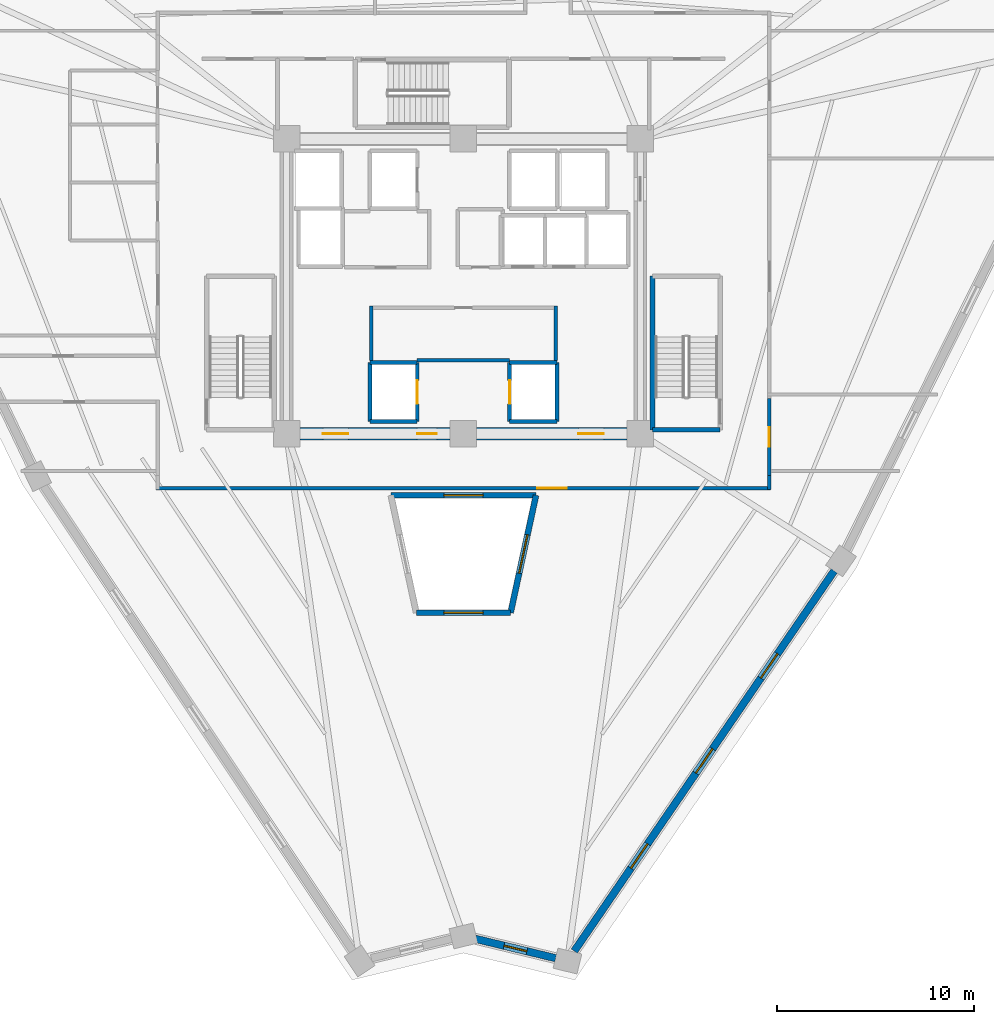
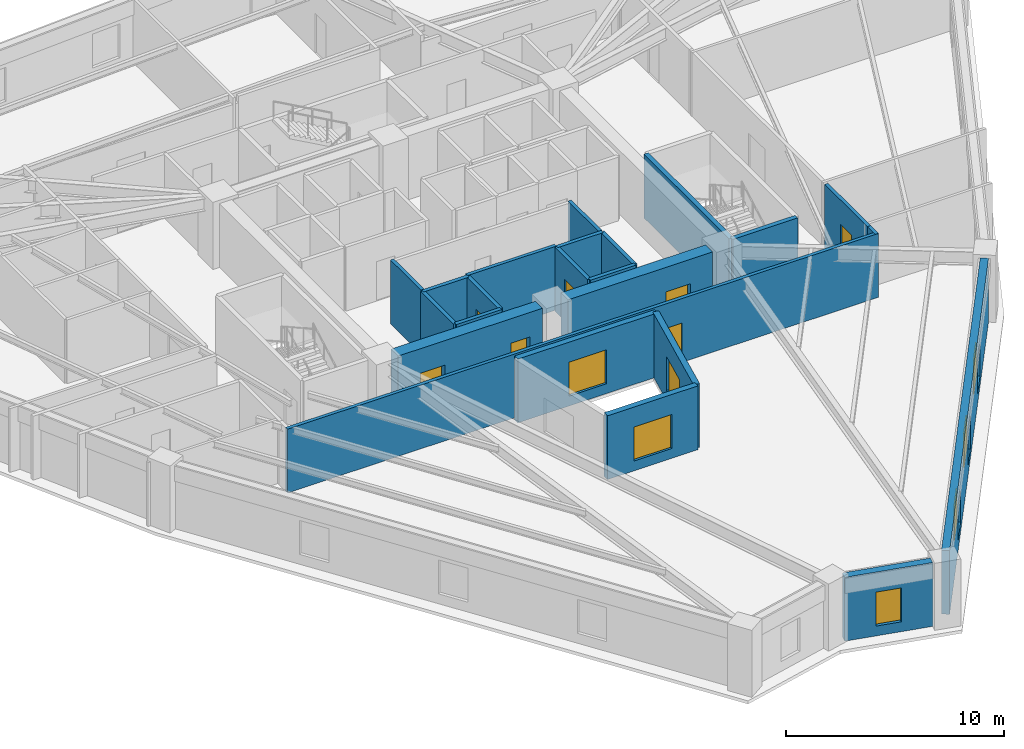
# One storey, part 3 of 8: 23 walls, 7 doors, 7 windows, 14 openings.
"""IFC4 building model written with IfcOpenShell, lengths in metres."""

from ifc_helpers import new_model, si_unit, direction, frame, frame_2d, origin, place, context, subcontext, project, spatial, rectangle, extrude, source, transform, mapped, material, layer, layer_set, type_object, element, fill, save


model = new_model("IFC4")

# Units and contexts
model_context = context("Model", 3, precision=1e-05, world=origin(), true_north=direction((0.0, 1.0)))
body_context = subcontext(model_context, "Body", "Model", "MODEL_VIEW")
ifc_project = project(units=[si_unit("LENGTHUNIT", "METRE"), si_unit("AREAUNIT", "SQUARE_METRE"), si_unit("VOLUMEUNIT", "CUBIC_METRE"), si_unit("PLANEANGLEUNIT", "RADIAN"), si_unit("MASSUNIT", "GRAM", prefix="KILO")], contexts=[model_context])

# Site, building, storey
site_placement = place(None, origin())
site = spatial("IfcSite", under=ifc_project, at=site_placement, CompositionType="ELEMENT")
building_placement = place(site_placement, origin())
building = spatial("IfcBuilding", under=site, at=building_placement, Name="Liaohun Quay Tower", CompositionType="ELEMENT")
storey_placement = place(building_placement, frame((0.0, 0.0, 240.0)))
storey = spatial("IfcBuildingStorey", under=building, at=storey_placement, Name="L62", CompositionType="ELEMENT", Elevation=240.0)

# Wall, opening, window
ifc_material_1 = material(Name="Concrete C50", Category="concrete")
ifc_layer_1 = layer(ifc_material_1, 0.300048828125, Name="Concrete C50", Category="concrete")
ifc_layer_set_1 = layer_set([ifc_layer_1], Name="Concrete C50")
wall_type_1 = type_object("IfcWallType", Name="WAL-ATR-300", PredefinedType="SOLIDWALL", material=ifc_layer_set_1)
wall_1_placement = place(storey_placement, frame((56.306884765625, 43.3701171875, 0.0), z_axis=(0.0, 0.0, 1.0), x_axis=(1.0, 0.0, 0.0)))
wall_1 = element("IfcWall", 1, at=wall_1_placement, inside=storey, type_object=wall_type_1, Name="L62 Atrium Fire Compartment Wall 2", PredefinedType="SOLIDWALL", context=body_context, shape_type="SweptSolid", body=[
    extrude(rectangle(XDim=7.38623046875, YDim=0.300048828125, at=frame_2d((3.693115234375, 0.0))), origin(), (0.0, 0.0, 1.0), 3.570068359375),
])
shared_shape_1 = source(origin(), body_context, "Body", "SweptSolid", [
    extrude(rectangle(XDim=2.0, YDim=1.89990234375, at=frame_2d((1.0, 0.949951171875))), frame((0.0, 0.159912109375, 0.0), z_axis=(0.0, -1.0, 0.0), x_axis=(1.0, 0.0, 0.0)), (0.0, 0.0, 1.0), 0.320068359375),
])
opening_1_placement = place(wall_1_placement, frame((2.693115234375, 0.0, 0.550048828125)))
opening_1 = element("IfcOpeningElement", 2, at=opening_1_placement, cuts=wall_1, Name="Opening W07", PredefinedType="OPENING", context=body_context, shape_type="MappedRepresentation", body=[
    mapped(shared_shape_1, transform((0.0, 0.0, 0.0), x_axis=(1.0, 0.0, 0.0), y_axis=(0.0, 1.0, 0.0), z_axis=(0.0, 0.0, 1.0), scale=1.0)),
])
ifc_material_2 = material(Name="Class A 180-min fire-resistant insulated glazing", Category="glass")
window_type_1 = type_object("IfcWindowType", Name="WIN-ATR-FIR", PartitioningType="DOUBLE_PANEL_VERTICAL", PredefinedType="WINDOW", material=ifc_material_2)
shared_shape_2 = source(origin(), body_context, "Body", "SweptSolid", [
    extrude(rectangle(XDim=2.0, YDim=1.89990234375, at=frame_2d((1.0, 0.949951171875))), frame((0.0, 0.030029296875, 0.0), z_axis=(0.0, -1.0, 0.0), x_axis=(1.0, 0.0, 0.0)), (0.0, 0.0, 1.0), 0.06005859375),
])
window_1_placement = place(opening_1_placement, origin())
window_1 = element("IfcWindow", 3, at=window_1_placement, inside=storey, type_object=window_type_1, Name="L62 Atrium Fire-Resistant Glazing W07-2", OverallHeight=1.89990234375, OverallWidth=2.0, PartitioningType="DOUBLE_PANEL_VERTICAL", PredefinedType="WINDOW", context=body_context, shape_type="MappedRepresentation", body=[
    mapped(shared_shape_2, transform((0.0, 0.0, 0.0), x_axis=(1.0, 0.0, 0.0), y_axis=(0.0, 1.0, 0.0), z_axis=(0.0, 0.0, 1.0), scale=1.0)),
])
fill(opening_1, window_1)

wall_2_placement = place(storey_placement, frame((63.693115234375, 43.3701171875, 0.0), z_axis=(0.0, 0.0, 1.0), x_axis=(-0.211469886749, -0.977384513382, 0.0)))
wall_2 = element("IfcWall", 4, at=wall_2_placement, inside=storey, type_object=wall_type_1, Name="L62 Atrium Fire Compartment Wall 3", PredefinedType="SOLIDWALL", context=body_context, shape_type="SweptSolid", body=[
    extrude(rectangle(XDim=6.115234375, YDim=0.300048828125, at=frame_2d((3.0576171875, 0.0))), origin(), (0.0, 0.0, 1.0), 3.570068359375),
])
opening_2_placement = place(wall_2_placement, frame((2.05810546875, 0.0, 0.550048828125)))
opening_2 = element("IfcOpeningElement", 5, at=opening_2_placement, cuts=wall_2, Name="Opening W07", PredefinedType="OPENING", context=body_context, shape_type="MappedRepresentation", body=[
    mapped(shared_shape_1, transform((0.0, 0.0, 0.0), x_axis=(1.0, 0.0, 0.0), y_axis=(0.0, 1.0, 0.0), z_axis=(0.0, 0.0, 1.0), scale=1.0)),
])
window_2_placement = place(opening_2_placement, origin())
window_2 = element("IfcWindow", 6, at=window_2_placement, inside=storey, type_object=window_type_1, Name="L62 Atrium Fire-Resistant Glazing W07-3", OverallHeight=1.89990234375, OverallWidth=2.0, PartitioningType="DOUBLE_PANEL_VERTICAL", PredefinedType="WINDOW", context=body_context, shape_type="MappedRepresentation", body=[
    mapped(shared_shape_2, transform((0.0, 0.0, 0.0), x_axis=(1.0, 0.0, 0.0), y_axis=(0.0, 1.0, 0.0), z_axis=(0.0, 0.0, 1.0), scale=1.0)),
])
fill(opening_2, window_2)

wall_3_placement = place(storey_placement, frame((62.39990234375, 37.39306640625, 0.0), z_axis=(0.0, 0.0, 1.0), x_axis=(-1.0, 0.0, 0.0)))
wall_3 = element("IfcWall", 7, at=wall_3_placement, inside=storey, type_object=wall_type_1, Name="L62 Atrium Fire Compartment Wall 4", PredefinedType="SOLIDWALL", context=body_context, shape_type="SweptSolid", body=[
    extrude(rectangle(XDim=4.7998046875, YDim=0.300048828125, at=frame_2d((2.39990234375, 0.0))), origin(), (0.0, 0.0, 1.0), 3.570068359375),
])
opening_3_placement = place(wall_3_placement, frame((1.39990234375, 0.0, 0.550048828125)))
opening_3 = element("IfcOpeningElement", 8, at=opening_3_placement, cuts=wall_3, Name="Opening W07", PredefinedType="OPENING", context=body_context, shape_type="MappedRepresentation", body=[
    mapped(shared_shape_1, transform((0.0, 0.0, 0.0), x_axis=(1.0, 0.0, 0.0), y_axis=(0.0, 1.0, 0.0), z_axis=(0.0, 0.0, 1.0), scale=1.0)),
])
window_3_placement = place(opening_3_placement, origin())
window_3 = element("IfcWindow", 9, at=window_3_placement, inside=storey, type_object=window_type_1, Name="L62 Atrium Fire-Resistant Glazing W07-4", OverallHeight=1.89990234375, OverallWidth=2.0, PartitioningType="DOUBLE_PANEL_VERTICAL", PredefinedType="WINDOW", context=body_context, shape_type="MappedRepresentation", body=[
    mapped(shared_shape_2, transform((0.0, 0.0, 0.0), x_axis=(1.0, 0.0, 0.0), y_axis=(0.0, 1.0, 0.0), z_axis=(0.0, 0.0, 1.0), scale=1.0)),
])
fill(opening_3, window_3)

# Wall, opening, door
ifc_material_3 = material(Name="Concrete C55", Category="concrete")
ifc_layer_2 = layer(ifc_material_3, 0.64990234375, Name="Concrete C55", Category="concrete")
ifc_layer_set_2 = layer_set([ifc_layer_2], Name="Concrete C55")
wall_type_2 = type_object("IfcWallType", Name="WAL-COR-Z3", PredefinedType="SHEAR", material=ifc_layer_set_2)
wall_4_placement = place(storey_placement, frame((68.324951171875, 46.5, 0.0), z_axis=(0.0, 0.0, 1.0), x_axis=(-1.0, 0.0, 0.0)))
wall_4 = element("IfcWall", 10, at=wall_4_placement, inside=storey, type_object=wall_type_2, Name="L62 Central Core Shear Wall S-E", PredefinedType="SHEAR", context=body_context, shape_type="SweptSolid", body=[
    extrude(rectangle(XDim=7.64990234375, YDim=0.64990234375, at=frame_2d((3.824951171875, 0.0))), origin(), (0.0, 0.0, 1.0), 3.570068359375),
])
shared_shape_3 = source(origin(), body_context, "Body", "SweptSolid", [
    extrude(rectangle(XDim=1.300048828125, YDim=2.199951171875, at=frame_2d((0.64990234375, 1.10009765625))), frame((0.0, 0.3349609375, 0.0), z_axis=(0.0, -1.0, 0.0), x_axis=(1.0, 0.0, 0.0)), (0.0, 0.0, 1.0), 0.669921875),
])
opening_4_placement = place(wall_4_placement, frame((1.175048828125, 0.0, 0.0)))
opening_4 = element("IfcOpeningElement", 11, at=opening_4_placement, cuts=wall_4, Name="Opening FD1", PredefinedType="OPENING", context=body_context, shape_type="MappedRepresentation", body=[
    mapped(shared_shape_3, transform((0.0, 0.0, 0.0), x_axis=(1.0, 0.0, 0.0), y_axis=(0.0, 1.0, 0.0), z_axis=(0.0, 0.0, 1.0), scale=1.0)),
])
ifc_material_4 = material(Name="Galvanised steel smokeproof fire door", Category="steel")
door_type_1 = type_object("IfcDoorType", Name="DOR-FFL-1300", OperationType="NOTDEFINED", PredefinedType="DOOR", material=ifc_material_4)
shared_shape_4 = source(origin(), body_context, "Body", "SweptSolid", [
    extrude(rectangle(XDim=1.300048828125, YDim=2.199951171875, at=frame_2d((0.64990234375, 1.10009765625))), frame((0.0, 0.02490234375, 0.0), z_axis=(0.0, -1.0, 0.0), x_axis=(1.0, 0.0, 0.0)), (0.0, 0.0, 1.0), 0.050048828125),
])
door_1_placement = place(opening_4_placement, origin())
door_1 = element("IfcDoor", 12, at=door_1_placement, inside=storey, type_object=door_type_1, Name="L62 East Core Lift Lobby Smokeproof Door", OperationType="SINGLE_SWING_LEFT", OverallHeight=2.199951171875, OverallWidth=1.300048828125, PredefinedType="DOOR", context=body_context, shape_type="MappedRepresentation", body=[
    mapped(shared_shape_4, transform((0.0, 0.0, 0.0), x_axis=(1.0, 0.0, 0.0), y_axis=(0.0, 1.0, 0.0), z_axis=(0.0, 0.0, 1.0), scale=1.0)),
])
fill(opening_4, door_1)

# Wall, openings, doors
wall_5_placement = place(storey_placement, frame((59.324951171875, 46.5, 0.0), z_axis=(0.0, 0.0, 1.0), x_axis=(-1.0, 0.0, 0.0)))
wall_5 = element("IfcWall", 13, at=wall_5_placement, inside=storey, type_object=wall_type_2, Name="L62 Central Core Shear Wall S-W", PredefinedType="SHEAR", context=body_context, shape_type="SweptSolid", body=[
    extrude(rectangle(XDim=7.64990234375, YDim=0.64990234375, at=frame_2d((3.824951171875, 0.0))), origin(), (0.0, 0.0, 1.0), 3.570068359375),
])
opening_5_placement = place(wall_5_placement, frame((5.175048828125, 0.0, 0.0)))
opening_5 = element("IfcOpeningElement", 14, at=opening_5_placement, cuts=wall_5, Name="Opening FD1", PredefinedType="OPENING", context=body_context, shape_type="MappedRepresentation", body=[
    mapped(shared_shape_3, transform((0.0, 0.0, 0.0), x_axis=(1.0, 0.0, 0.0), y_axis=(0.0, 1.0, 0.0), z_axis=(0.0, 0.0, 1.0), scale=1.0)),
])
shared_shape_5 = source(origin(), body_context, "Body", "SweptSolid", [
    extrude(rectangle(XDim=1.0, YDim=2.199951171875, at=frame_2d((0.5, 1.10009765625))), frame((0.0, 0.3349609375, 0.0), z_axis=(0.0, -1.0, 0.0), x_axis=(1.0, 0.0, 0.0)), (0.0, 0.0, 1.0), 0.669921875),
])
opening_6_placement = place(wall_5_placement, frame((0.675048828125, 0.0, 0.0)))
opening_6 = element("IfcOpeningElement", 15, at=opening_6_placement, cuts=wall_5, Name="Opening FD2", PredefinedType="OPENING", context=body_context, shape_type="MappedRepresentation", body=[
    mapped(shared_shape_5, transform((0.0, 0.0, 0.0), x_axis=(1.0, 0.0, 0.0), y_axis=(0.0, 1.0, 0.0), z_axis=(0.0, 0.0, 1.0), scale=1.0)),
])
door_2_placement = place(opening_5_placement, origin())
door_2 = element("IfcDoor", 16, at=door_2_placement, inside=storey, type_object=door_type_1, Name="L62 West Core Lift Lobby Smokeproof Door", OperationType="SINGLE_SWING_RIGHT", OverallHeight=2.199951171875, OverallWidth=1.300048828125, PredefinedType="DOOR", context=body_context, shape_type="MappedRepresentation", body=[
    mapped(shared_shape_4, transform((0.0, 0.0, 0.0), x_axis=(1.0, 0.0, 0.0), y_axis=(0.0, 1.0, 0.0), z_axis=(0.0, 0.0, 1.0), scale=1.0)),
])
fill(opening_5, door_2)
ifc_material_5 = material(Name="Galvanised steel smokeproof lobby fire door", Category="steel")
door_type_2 = type_object("IfcDoorType", Name="DOR-FFL-1000", OperationType="NOTDEFINED", PredefinedType="DOOR", material=ifc_material_5)
shared_shape_6 = source(origin(), body_context, "Body", "SweptSolid", [
    extrude(rectangle(XDim=1.0, YDim=2.199951171875, at=frame_2d((0.5, 1.10009765625))), frame((0.0, 0.02490234375, 0.0), z_axis=(0.0, -1.0, 0.0), x_axis=(1.0, 0.0, 0.0)), (0.0, 0.0, 1.0), 0.050048828125),
])
door_3_placement = place(opening_6_placement, origin())
door_3 = element("IfcDoor", 17, at=door_3_placement, inside=storey, type_object=door_type_2, Name="L62 South Firefighting Lobby Smokeproof Door", OperationType="SINGLE_SWING_LEFT", OverallHeight=2.199951171875, OverallWidth=1.0, PredefinedType="DOOR", context=body_context, shape_type="MappedRepresentation", body=[
    mapped(shared_shape_6, transform((0.0, 0.0, 0.0), x_axis=(1.0, 0.0, 0.0), y_axis=(0.0, 1.0, 0.0), z_axis=(0.0, 0.0, 1.0), scale=1.0)),
])
fill(opening_6, door_3)

# Wall, opening, window
ifc_material_6 = material(Name="Precast concrete C50 insulated sandwich", Category="concrete")
ifc_layer_3 = layer(ifc_material_6, 0.3798828125, Name="Precast concrete C50 insulated sandwich", Category="concrete")
ifc_layer_set_3 = layer_set([ifc_layer_3], Name="Precast concrete C50 insulated sandwich")
wall_type_3 = type_object("IfcWallType", Name="WAL-EXT-Z34", PredefinedType="SOLIDWALL", material=ifc_layer_set_3)
wall_6_placement = place(storey_placement, frame((60.597900390625, 20.80908203125, 0.0), z_axis=(0.0, 0.0, 1.0), x_axis=(0.972014274606, -0.234921795418, 0.0)))
wall_6 = element("IfcWall", 18, at=wall_6_placement, inside=storey, type_object=wall_type_3, Name="L62 Brutalist Precast Pier Wall 01", PredefinedType="SOLIDWALL", context=body_context, shape_type="SweptSolid", body=[
    extrude(rectangle(XDim=4.214111328125, YDim=0.3798828125, at=frame_2d((2.10693359375, 0.0))), origin(), (0.0, 0.0, 1.0), 3.570068359375),
])
shared_shape_7 = source(origin(), body_context, "Body", "SweptSolid", [
    extrude(rectangle(XDim=1.199951171875, YDim=1.89990234375, at=frame_2d((0.60009765625, 0.949951171875))), frame((0.0, 0.199951171875, 0.0), z_axis=(0.0, -1.0, 0.0), x_axis=(1.0, 0.0, 0.0)), (0.0, 0.0, 1.0), 0.39990234375),
])
opening_7_placement = place(wall_6_placement, frame((1.507080078125, 0.0, 0.550048828125)))
opening_7 = element("IfcOpeningElement", 19, at=opening_7_placement, cuts=wall_6, Name="Opening W05", PredefinedType="OPENING", context=body_context, shape_type="MappedRepresentation", body=[
    mapped(shared_shape_7, transform((0.0, 0.0, 0.0), x_axis=(1.0, 0.0, 0.0), y_axis=(0.0, 1.0, 0.0), z_axis=(0.0, 0.0, 1.0), scale=1.0)),
])
ifc_material_7 = material(Name="Triple Low-E corner notch glazing", Category="glass")
window_type_2 = type_object("IfcWindowType", Name="WIN-NOTCH", PartitioningType="SINGLE_PANEL", PredefinedType="WINDOW", material=ifc_material_7)
shared_shape_8 = source(origin(), body_context, "Body", "SweptSolid", [
    extrude(rectangle(XDim=1.199951171875, YDim=1.89990234375, at=frame_2d((0.60009765625, 0.949951171875))), frame((0.0, 0.030029296875, 0.0), z_axis=(0.0, -1.0, 0.0), x_axis=(1.0, 0.0, 0.0)), (0.0, 0.0, 1.0), 0.06005859375),
])
window_4_placement = place(opening_7_placement, origin())
window_4 = element("IfcWindow", 20, at=window_4_placement, inside=storey, type_object=window_type_2, Name="L62 Corner Notch Window W05-01", OverallHeight=1.89990234375, OverallWidth=1.199951171875, PartitioningType="SINGLE_PANEL", PredefinedType="WINDOW", context=body_context, shape_type="MappedRepresentation", body=[
    mapped(shared_shape_8, transform((0.0, 0.0, 0.0), x_axis=(1.0, 0.0, 0.0), y_axis=(0.0, 1.0, 0.0), z_axis=(0.0, 0.0, 1.0), scale=1.0)),
])
fill(opening_7, window_4)

# Wall, openings, windows
wall_7_placement = place(storey_placement, frame((65.638916015625, 20.18310546875, 0.0), z_axis=(0.0, 0.0, 1.0), x_axis=(0.564381319664, 0.825514219147, 0.0)))
wall_7 = element("IfcWall", 21, at=wall_7_placement, inside=storey, type_object=wall_type_3, Name="L62 Brutalist Precast Pier Wall 02", PredefinedType="SOLIDWALL", context=body_context, shape_type="SweptSolid", body=[
    extrude(rectangle(XDim=23.43115234375, YDim=0.3798828125, at=frame_2d((11.715576171875, 0.0))), origin(), (0.0, 0.0, 1.0), 3.570068359375),
])
shared_shape_9 = source(origin(), body_context, "Body", "SweptSolid", [
    extrude(rectangle(XDim=1.5, YDim=1.89990234375, at=frame_2d((0.75, 0.949951171875))), frame((0.0, 0.199951171875, 0.0), z_axis=(0.0, -1.0, 0.0), x_axis=(1.0, 0.0, 0.0)), (0.0, 0.0, 1.0), 0.39990234375),
])
opening_8_placement = place(wall_7_placement, frame((5.10791015625, 0.0, 0.550048828125)))
opening_8 = element("IfcOpeningElement", 22, at=opening_8_placement, cuts=wall_7, Name="Opening W03", PredefinedType="OPENING", context=body_context, shape_type="MappedRepresentation", body=[
    mapped(shared_shape_9, transform((0.0, 0.0, 0.0), x_axis=(1.0, 0.0, 0.0), y_axis=(0.0, 1.0, 0.0), z_axis=(0.0, 0.0, 1.0), scale=1.0)),
])
opening_9_placement = place(wall_7_placement, frame((10.966064453125, 0.0, 0.550048828125)))
opening_9 = element("IfcOpeningElement", 23, at=opening_9_placement, cuts=wall_7, Name="Opening W03", PredefinedType="OPENING", context=body_context, shape_type="MappedRepresentation", body=[
    mapped(shared_shape_9, transform((0.0, 0.0, 0.0), x_axis=(1.0, 0.0, 0.0), y_axis=(0.0, 1.0, 0.0), z_axis=(0.0, 0.0, 1.0), scale=1.0)),
])
opening_10_placement = place(wall_7_placement, frame((16.822998046875, 0.0, 0.550048828125)))
opening_10 = element("IfcOpeningElement", 24, at=opening_10_placement, cuts=wall_7, Name="Opening W03", PredefinedType="OPENING", context=body_context, shape_type="MappedRepresentation", body=[
    mapped(shared_shape_9, transform((0.0, 0.0, 0.0), x_axis=(1.0, 0.0, 0.0), y_axis=(0.0, 1.0, 0.0), z_axis=(0.0, 0.0, 1.0), scale=1.0)),
])
ifc_material_8 = material(Name="Triple Low-E argon glazing in thermally broken aluminium", Category="aluminium")
window_type_3 = type_object("IfcWindowType", Name="WIN-PUN-Z3", PartitioningType="DOUBLE_PANEL_VERTICAL", PredefinedType="WINDOW", material=ifc_material_8)
shared_shape_10 = source(origin(), body_context, "Body", "SweptSolid", [
    extrude(rectangle(XDim=1.5, YDim=1.89990234375, at=frame_2d((0.75, 0.949951171875))), frame((0.0, 0.030029296875, 0.0), z_axis=(0.0, -1.0, 0.0), x_axis=(1.0, 0.0, 0.0)), (0.0, 0.0, 1.0), 0.06005859375),
])
window_5_placement = place(opening_8_placement, origin())
window_5 = element("IfcWindow", 25, at=window_5_placement, inside=storey, type_object=window_type_3, Name="L62 Recessed Cold-Climate Punched Window 02-1", OverallHeight=1.89990234375, OverallWidth=1.5, PartitioningType="DOUBLE_PANEL_VERTICAL", PredefinedType="WINDOW", context=body_context, shape_type="MappedRepresentation", body=[
    mapped(shared_shape_10, transform((0.0, 0.0, 0.0), x_axis=(1.0, 0.0, 0.0), y_axis=(0.0, 1.0, 0.0), z_axis=(0.0, 0.0, 1.0), scale=1.0)),
])
fill(opening_8, window_5)
window_6_placement = place(opening_9_placement, origin())
window_6 = element("IfcWindow", 26, at=window_6_placement, inside=storey, type_object=window_type_3, Name="L62 Recessed Cold-Climate Punched Window 02-2", OverallHeight=1.89990234375, OverallWidth=1.5, PartitioningType="DOUBLE_PANEL_VERTICAL", PredefinedType="WINDOW", context=body_context, shape_type="MappedRepresentation", body=[
    mapped(shared_shape_10, transform((0.0, 0.0, 0.0), x_axis=(1.0, 0.0, 0.0), y_axis=(0.0, 1.0, 0.0), z_axis=(0.0, 0.0, 1.0), scale=1.0)),
])
fill(opening_9, window_6)
window_7_placement = place(opening_10_placement, origin())
window_7 = element("IfcWindow", 27, at=window_7_placement, inside=storey, type_object=window_type_3, Name="L62 Recessed Cold-Climate Punched Window 02-3", OverallHeight=1.89990234375, OverallWidth=1.5, PartitioningType="DOUBLE_PANEL_VERTICAL", PredefinedType="WINDOW", context=body_context, shape_type="MappedRepresentation", body=[
    mapped(shared_shape_10, transform((0.0, 0.0, 0.0), x_axis=(1.0, 0.0, 0.0), y_axis=(0.0, 1.0, 0.0), z_axis=(0.0, 0.0, 1.0), scale=1.0)),
])
fill(opening_10, window_7)

# Wall, opening, door
ifc_material_9 = material(Name="Autoclaved aerated concrete blockwork", Category="masonry")
ifc_layer_4 = layer(ifc_material_9, 0.179931640625, Name="Autoclaved aerated concrete blockwork", Category="masonry")
ifc_layer_set_4 = layer_set([ifc_layer_4], Name="Autoclaved aerated concrete blockwork")
wall_type_4 = type_object("IfcWallType", Name="WAL-PRT-COR", PredefinedType="PARTITIONING", material=ifc_layer_set_4)
wall_8_placement = place(storey_placement, frame((75.6298828125, 43.739990234375, 0.0), z_axis=(0.0, 0.0, 1.0), x_axis=(-1.0, 0.0, 0.0)))
wall_8 = element("IfcWall", 28, at=wall_8_placement, inside=storey, type_object=wall_type_4, Name="L62 Interior Partition Wall 019", PredefinedType="PARTITIONING", context=body_context, shape_type="SweptSolid", body=[
    extrude(rectangle(XDim=31.259765625, YDim=0.179931640625, at=frame_2d((15.6298828125, 0.0))), origin(), (0.0, 0.0, 1.0), 3.570068359375),
])
shared_shape_11 = source(origin(), body_context, "Body", "SweptSolid", [
    extrude(rectangle(XDim=1.5, YDim=2.199951171875, at=frame_2d((0.75, 1.10009765625))), frame((0.0, 0.099853515625, 0.0), z_axis=(0.0, -1.0, 0.0), x_axis=(1.0, 0.0, 0.0)), (0.0, 0.0, 1.0), 0.199951171875),
])
opening_11_placement = place(wall_8_placement, frame((10.3798828125, 0.0, 0.0)))
opening_11 = element("IfcOpeningElement", 29, at=opening_11_placement, cuts=wall_8, Name="Opening OD2", PredefinedType="OPENING", context=body_context, shape_type="MappedRepresentation", body=[
    mapped(shared_shape_11, transform((0.0, 0.0, 0.0), x_axis=(1.0, 0.0, 0.0), y_axis=(0.0, 1.0, 0.0), z_axis=(0.0, 0.0, 1.0), scale=1.0)),
])
ifc_material_10 = material(Name="Acoustic oak veneer double door")
door_type_3 = type_object("IfcDoorType", Name="DOR-OFF-1500", OperationType="DOUBLE_DOOR_SINGLE_SWING", PredefinedType="DOOR", material=ifc_material_10)
shared_shape_12 = source(origin(), body_context, "Body", "SweptSolid", [
    extrude(rectangle(XDim=1.5, YDim=2.199951171875, at=frame_2d((0.75, 1.10009765625))), frame((0.0, 0.02490234375, 0.0), z_axis=(0.0, -1.0, 0.0), x_axis=(1.0, 0.0, 0.0)), (0.0, 0.0, 1.0), 0.050048828125),
])
door_4_placement = place(opening_11_placement, origin())
door_4 = element("IfcDoor", 30, at=door_4_placement, inside=storey, type_object=door_type_3, Name="L62 Records Archive Store 09 Door", OperationType="DOUBLE_DOOR_SINGLE_SWING", OverallHeight=2.199951171875, OverallWidth=1.5, PredefinedType="DOOR", context=body_context, shape_type="MappedRepresentation", body=[
    mapped(shared_shape_12, transform((0.0, 0.0, 0.0), x_axis=(1.0, 0.0, 0.0), y_axis=(0.0, 1.0, 0.0), z_axis=(0.0, 0.0, 1.0), scale=1.0)),
])
fill(opening_11, door_4)

wall_9_placement = place(storey_placement, frame((75.56005859375, 48.284912109375, 0.0), z_axis=(0.0, 0.0, 1.0), x_axis=(0.0, -1.0, 0.0)))
wall_9 = element("IfcWall", 31, at=wall_9_placement, inside=storey, type_object=wall_type_4, Name="L62 Interior Partition Wall 020", PredefinedType="PARTITIONING", context=body_context, shape_type="SweptSolid", body=[
    extrude(rectangle(XDim=3.89990234375, YDim=0.179931640625, at=frame_2d((1.949951171875, 0.0))), origin(), (0.0, 0.0, 1.0), 3.570068359375),
])
shared_shape_13 = source(origin(), body_context, "Body", "SweptSolid", [
    extrude(rectangle(XDim=1.0, YDim=2.199951171875, at=frame_2d((0.5, 1.10009765625))), frame((0.0, 0.099853515625, 0.0), z_axis=(0.0, -1.0, 0.0), x_axis=(1.0, 0.0, 0.0)), (0.0, 0.0, 1.0), 0.199951171875),
])
opening_12_placement = place(wall_9_placement, frame((1.449951171875, 0.0, 0.0)))
opening_12 = element("IfcOpeningElement", 32, at=opening_12_placement, cuts=wall_9, Name="Opening OD1", PredefinedType="OPENING", context=body_context, shape_type="MappedRepresentation", body=[
    mapped(shared_shape_13, transform((0.0, 0.0, 0.0), x_axis=(1.0, 0.0, 0.0), y_axis=(0.0, 1.0, 0.0), z_axis=(0.0, 0.0, 1.0), scale=1.0)),
])
ifc_material_11 = material(Name="Solid-core oak veneer timber leaf in steel frame", Category="steel")
door_type_4 = type_object("IfcDoorType", Name="DOR-OFF-1000", OperationType="NOTDEFINED", PredefinedType="DOOR", material=ifc_material_11)
door_5_placement = place(opening_12_placement, origin())
door_5 = element("IfcDoor", 33, at=door_5_placement, inside=storey, type_object=door_type_4, Name="L62 Open-Plan Office Workplace 10 Door", OperationType="SINGLE_SWING_RIGHT", OverallHeight=2.199951171875, OverallWidth=1.0, PredefinedType="DOOR", context=body_context, shape_type="MappedRepresentation", body=[
    mapped(shared_shape_6, transform((0.0, 0.0, 0.0), x_axis=(1.0, 0.0, 0.0), y_axis=(0.0, 1.0, 0.0), z_axis=(0.0, 0.0, 1.0), scale=1.0)),
])
fill(opening_12, door_5)

# Walls
wall_10_placement = place(storey_placement, frame((75.56005859375, 44.385009765625, 0.0), z_axis=(0.0, 0.0, 1.0), x_axis=(0.0, -1.0, 0.0)))
element("IfcWall", 34, at=wall_10_placement, inside=storey, type_object=wall_type_4, Name="L62 Interior Partition Wall 039", PredefinedType="PARTITIONING", context=body_context, shape_type="SweptSolid", body=[
    extrude(rectangle(XDim=0.715087890625, YDim=0.179931640625, at=frame_2d((0.357421875, 0.0))), origin(), (0.0, 0.0, 1.0), 3.570068359375),
])
for number, where, z_axis, x_axis, name in (
    (35, (55.300048828125, 50.219970703125, 0.0), (0.0, 0.0, 1.0), (0.0, 1.0, 0.0), "L62 Interior Partition Wall 048"),
    (36, (64.699951171875, 50.219970703125, 0.0), (0.0, 0.0, 1.0), (0.0, 1.0, 0.0), "L62 Interior Partition Wall 049"),
):
    element("IfcWall", number, at=place(storey_placement, frame(where, z_axis=z_axis, x_axis=x_axis)), inside=storey, type_object=wall_type_4, Name=name, PredefinedType="PARTITIONING", context=body_context, shape_type="SweptSolid", body=[
        extrude(rectangle(XDim=2.7900390625, YDim=0.179931640625, at=frame_2d((1.39501953125, 0.0))), origin(), (0.0, 0.0, 1.0), 3.570068359375),
    ])
wall_11_placement = place(storey_placement, frame((57.64990234375, 50.25, 0.0), z_axis=(0.0, 0.0, 1.0), x_axis=(1.0, 0.0, 0.0)))
element("IfcWall", 37, at=wall_11_placement, inside=storey, type_object=wall_type_4, Name="L62 Interior Partition Wall 050", PredefinedType="PARTITIONING", context=body_context, shape_type="SweptSolid", body=[
    extrude(rectangle(XDim=4.7001953125, YDim=0.179931640625, at=frame_2d((2.35009765625, 0.0))), origin(), (0.0, 0.0, 1.0), 3.570068359375),
])
ifc_layer_5 = layer(ifc_material_1, 0.239990234375, Name="Concrete C50", Category="concrete")
ifc_layer_set_5 = layer_set([ifc_layer_5], Name="Concrete C50")
wall_type_5 = type_object("IfcWallType", Name="WAL-SHF-200", PredefinedType="SOLIDWALL", material=ifc_layer_set_5)
wall_12_placement = place(storey_placement, frame((69.6201171875, 46.699951171875, 0.0), z_axis=(0.0, 0.0, 1.0), x_axis=(1.0, 0.0, 0.0)))
element("IfcWall", 38, at=wall_12_placement, inside=storey, type_object=wall_type_5, Name="L62 Stairwell ST-2 Structural Core Wall S", PredefinedType="SOLIDWALL", context=body_context, shape_type="SweptSolid", body=[
    extrude(rectangle(XDim=3.43994140625, YDim=0.239990234375, at=frame_2d((1.719970703125, 0.0))), origin(), (0.0, 0.0, 1.0), 3.570068359375),
])
wall_13_placement = place(storey_placement, frame((69.6201171875, 54.52001953125, 0.0), z_axis=(0.0, 0.0, 1.0), x_axis=(0.0, -1.0, 0.0)))
element("IfcWall", 39, at=wall_13_placement, inside=storey, type_object=wall_type_5, Name="L62 Stairwell ST-2 Structural Core Wall W", PredefinedType="SOLIDWALL", context=body_context, shape_type="SweptSolid", body=[
    extrude(rectangle(XDim=7.820068359375, YDim=0.239990234375, at=frame_2d((3.91015625, 0.0))), origin(), (0.0, 0.0, 1.0), 3.570068359375),
])
wall_14_placement = place(storey_placement, frame((55.25, 47.1201171875, 0.0), z_axis=(0.0, 0.0, 1.0), x_axis=(1.0, 0.0, 0.0)))
element("IfcWall", 40, at=wall_14_placement, inside=storey, type_object=wall_type_5, Name="L62 Lift FF-01 Hoistway Wall S", PredefinedType="SOLIDWALL", context=body_context, shape_type="SweptSolid", body=[
    extrude(rectangle(XDim=2.39990234375, YDim=0.199951171875, at=frame_2d((1.199951171875, 0.0))), origin(), (0.0, 0.0, 1.0), 3.570068359375),
])

# Wall, opening, door
wall_15_placement = place(storey_placement, frame((57.64990234375, 47.1201171875, 0.0), z_axis=(0.0, 0.0, 1.0), x_axis=(0.0, 1.0, 0.0)))
wall_15 = element("IfcWall", 41, at=wall_15_placement, inside=storey, type_object=wall_type_5, Name="L62 Lift FF-01 Hoistway Wall E", PredefinedType="SOLIDWALL", context=body_context, shape_type="SweptSolid", body=[
    extrude(rectangle(XDim=3.0, YDim=0.199951171875, at=frame_2d((1.5, 0.0))), origin(), (0.0, 0.0, 1.0), 3.570068359375),
])
shared_shape_14 = source(origin(), body_context, "Body", "SweptSolid", [
    extrude(rectangle(XDim=1.199951171875, YDim=2.300048828125, at=frame_2d((0.60009765625, 1.14990234375))), frame((0.0, 0.10986328125, 0.0), z_axis=(0.0, -1.0, 0.0), x_axis=(1.0, 0.0, 0.0)), (0.0, 0.0, 1.0), 0.219970703125),
])
opening_13_placement = place(wall_15_placement, frame((0.89990234375, 0.0, 0.0)))
opening_13 = element("IfcOpeningElement", 42, at=opening_13_placement, cuts=wall_15, Name="Opening LD2", PredefinedType="OPENING", context=body_context, shape_type="MappedRepresentation", body=[
    mapped(shared_shape_14, transform((0.0, 0.0, 0.0), x_axis=(1.0, 0.0, 0.0), y_axis=(0.0, 1.0, 0.0), z_axis=(0.0, 0.0, 1.0), scale=1.0)),
])
ifc_material_12 = material(Name="Brushed stainless steel stretcher landing door", Category="steel")
door_type_5 = type_object("IfcDoorType", Name="DOR-LFT-1200", OperationType="SLIDING_TO_LEFT", PredefinedType="DOOR", material=ifc_material_12)
shared_shape_15 = source(origin(), body_context, "Body", "SweptSolid", [
    extrude(rectangle(XDim=1.199951171875, YDim=2.300048828125, at=frame_2d((0.60009765625, 1.14990234375))), frame((0.0, 0.02490234375, 0.0), z_axis=(0.0, -1.0, 0.0), x_axis=(1.0, 0.0, 0.0)), (0.0, 0.0, 1.0), 0.050048828125),
])
door_6_placement = place(opening_13_placement, origin())
door_6 = element("IfcDoor", 43, at=door_6_placement, inside=storey, type_object=door_type_5, Name="L62 Lift FF-01 Sliding Landing Door", OperationType="SLIDING_TO_LEFT", OverallHeight=2.300048828125, OverallWidth=1.199951171875, PredefinedType="DOOR", context=body_context, shape_type="MappedRepresentation", body=[
    mapped(shared_shape_15, transform((0.0, 0.0, 0.0), x_axis=(1.0, 0.0, 0.0), y_axis=(0.0, 1.0, 0.0), z_axis=(0.0, 0.0, 1.0), scale=1.0)),
])
fill(opening_13, door_6)

# Walls
wall_16_placement = place(storey_placement, frame((57.64990234375, 50.1201171875, 0.0), z_axis=(0.0, 0.0, 1.0), x_axis=(-1.0, 0.0, 0.0)))
element("IfcWall", 44, at=wall_16_placement, inside=storey, type_object=wall_type_5, Name="L62 Lift FF-01 Hoistway Wall N", PredefinedType="SOLIDWALL", context=body_context, shape_type="SweptSolid", body=[
    extrude(rectangle(XDim=2.39990234375, YDim=0.199951171875, at=frame_2d((1.199951171875, 0.0))), origin(), (0.0, 0.0, 1.0), 3.570068359375),
])
wall_17_placement = place(storey_placement, frame((55.25, 50.1201171875, 0.0), z_axis=(0.0, 0.0, 1.0), x_axis=(0.0, -1.0, 0.0)))
element("IfcWall", 45, at=wall_17_placement, inside=storey, type_object=wall_type_5, Name="L62 Lift FF-01 Hoistway Wall W", PredefinedType="SOLIDWALL", context=body_context, shape_type="SweptSolid", body=[
    extrude(rectangle(XDim=3.0, YDim=0.199951171875, at=frame_2d((1.5, 0.0))), origin(), (0.0, 0.0, 1.0), 3.570068359375),
])
wall_18_placement = place(storey_placement, frame((62.35009765625, 47.1201171875, 0.0), z_axis=(0.0, 0.0, 1.0), x_axis=(1.0, 0.0, 0.0)))
element("IfcWall", 46, at=wall_18_placement, inside=storey, type_object=wall_type_5, Name="L62 Lift FF-02 Hoistway Wall S", PredefinedType="SOLIDWALL", context=body_context, shape_type="SweptSolid", body=[
    extrude(rectangle(XDim=2.39990234375, YDim=0.199951171875, at=frame_2d((1.199951171875, 0.0))), origin(), (0.0, 0.0, 1.0), 3.570068359375),
])
wall_19_placement = place(storey_placement, frame((64.75, 47.1201171875, 0.0), z_axis=(0.0, 0.0, 1.0), x_axis=(0.0, 1.0, 0.0)))
element("IfcWall", 47, at=wall_19_placement, inside=storey, type_object=wall_type_5, Name="L62 Lift FF-02 Hoistway Wall E", PredefinedType="SOLIDWALL", context=body_context, shape_type="SweptSolid", body=[
    extrude(rectangle(XDim=3.0, YDim=0.199951171875, at=frame_2d((1.5, 0.0))), origin(), (0.0, 0.0, 1.0), 3.570068359375),
])
wall_20_placement = place(storey_placement, frame((64.75, 50.1201171875, 0.0), z_axis=(0.0, 0.0, 1.0), x_axis=(-1.0, 0.0, 0.0)))
element("IfcWall", 48, at=wall_20_placement, inside=storey, type_object=wall_type_5, Name="L62 Lift FF-02 Hoistway Wall N", PredefinedType="SOLIDWALL", context=body_context, shape_type="SweptSolid", body=[
    extrude(rectangle(XDim=2.39990234375, YDim=0.199951171875, at=frame_2d((1.199951171875, 0.0))), origin(), (0.0, 0.0, 1.0), 3.570068359375),
])

# Wall, opening, door
wall_21_placement = place(storey_placement, frame((62.35009765625, 50.1201171875, 0.0), z_axis=(0.0, 0.0, 1.0), x_axis=(0.0, -1.0, 0.0)))
wall_21 = element("IfcWall", 49, at=wall_21_placement, inside=storey, type_object=wall_type_5, Name="L62 Lift FF-02 Hoistway Wall W", PredefinedType="SOLIDWALL", context=body_context, shape_type="SweptSolid", body=[
    extrude(rectangle(XDim=3.0, YDim=0.199951171875, at=frame_2d((1.5, 0.0))), origin(), (0.0, 0.0, 1.0), 3.570068359375),
])
opening_14_placement = place(wall_21_placement, frame((0.89990234375, 0.0, 0.0)))
opening_14 = element("IfcOpeningElement", 50, at=opening_14_placement, cuts=wall_21, Name="Opening LD2", PredefinedType="OPENING", context=body_context, shape_type="MappedRepresentation", body=[
    mapped(shared_shape_14, transform((0.0, 0.0, 0.0), x_axis=(1.0, 0.0, 0.0), y_axis=(0.0, 1.0, 0.0), z_axis=(0.0, 0.0, 1.0), scale=1.0)),
])
door_7_placement = place(opening_14_placement, origin())
door_7 = element("IfcDoor", 51, at=door_7_placement, inside=storey, type_object=door_type_5, Name="L62 Lift FF-02 Sliding Landing Door", OperationType="SLIDING_TO_LEFT", OverallHeight=2.300048828125, OverallWidth=1.199951171875, PredefinedType="DOOR", context=body_context, shape_type="MappedRepresentation", body=[
    mapped(shared_shape_15, transform((0.0, 0.0, 0.0), x_axis=(1.0, 0.0, 0.0), y_axis=(0.0, 1.0, 0.0), z_axis=(0.0, 0.0, 1.0), scale=1.0)),
])
fill(opening_14, door_7)

save(model, "model.ifc")
